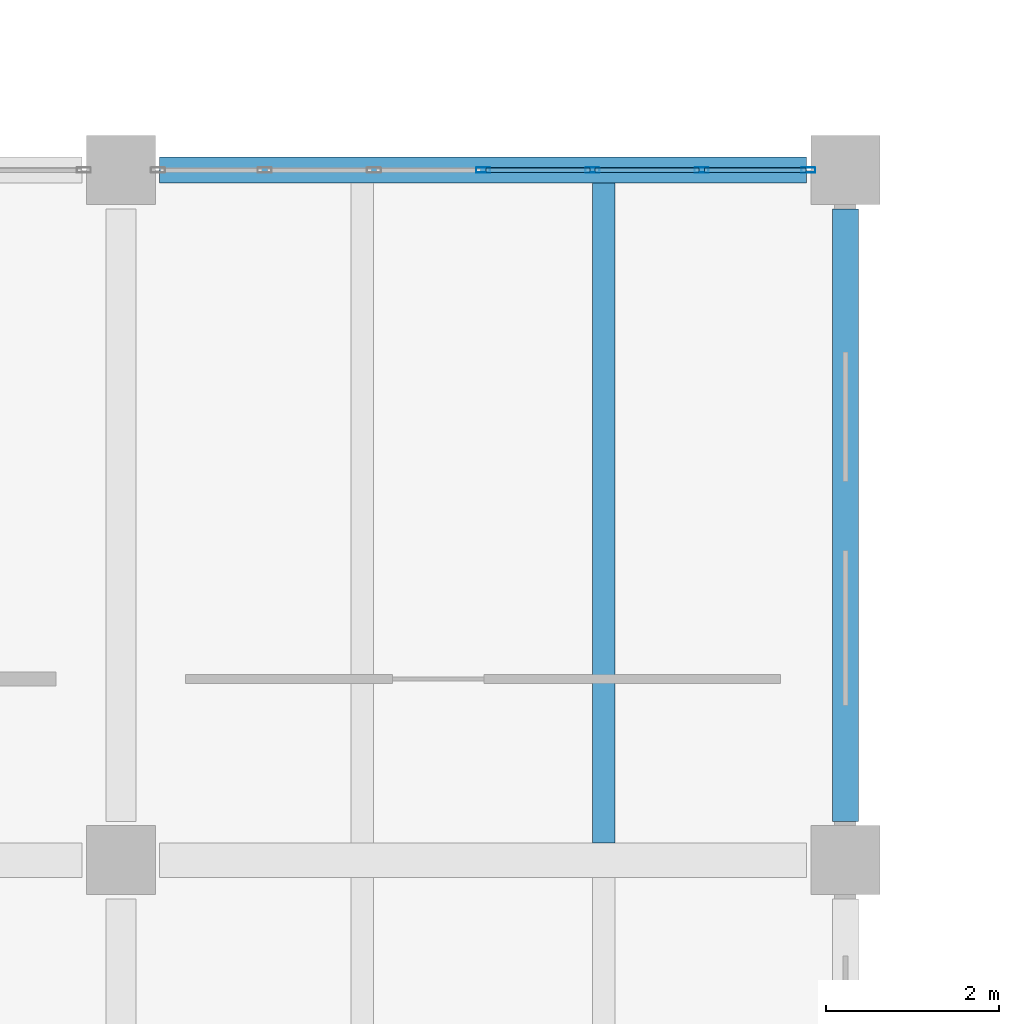
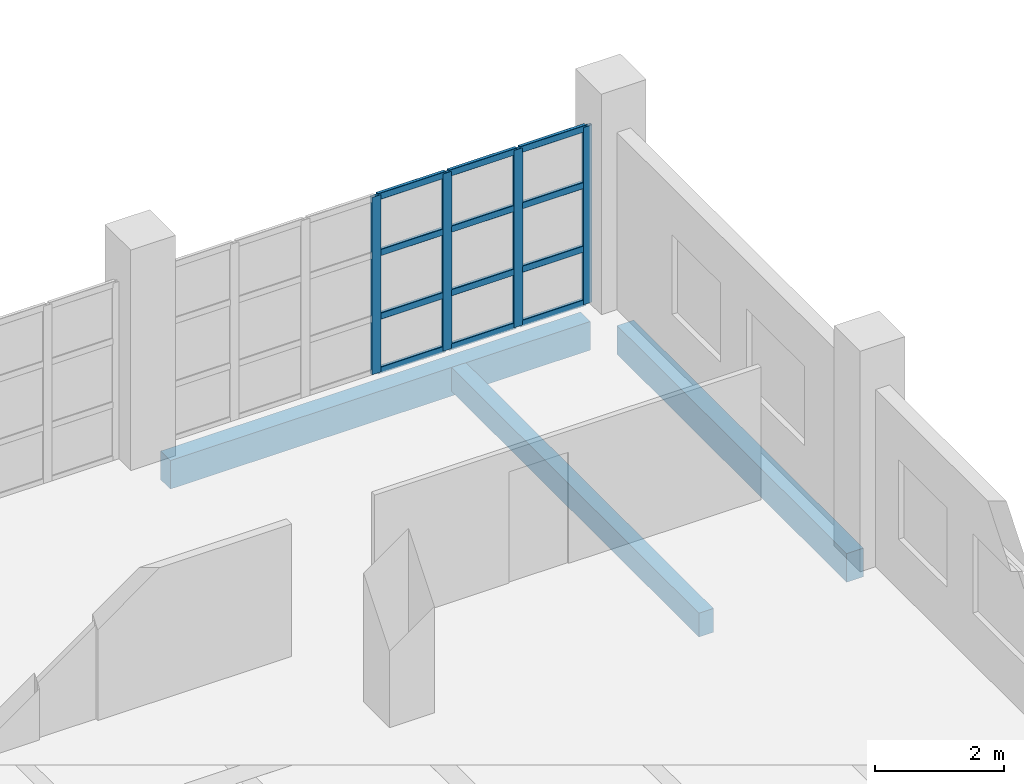
# One storey, part 48 of 177: 16 members, 3 beams, 1 element without a shape of its own.
"""IFC4 building model written with IfcOpenShell, lengths in metres."""

from ifc_helpers import new_model, si_unit, direction, frame, origin, origin_2d, place, context, subcontext, project, spatial, rectangle, hollow_rectangle, extrude, material, layer, layer_set, material_profile, profile_set, type_object, element, aggregate, save


model = new_model("IFC4")

# Units and contexts
model_context = context("Model", 3, precision=1e-05, world=origin(), true_north=direction((0.0, 1.0)))
body_context = subcontext(model_context, "Body", "Model", "MODEL_VIEW")
ifc_project = project(units=[si_unit("LENGTHUNIT", "METRE"), si_unit("AREAUNIT", "SQUARE_METRE"), si_unit("VOLUMEUNIT", "CUBIC_METRE"), si_unit("PLANEANGLEUNIT", "RADIAN"), si_unit("MASSUNIT", "GRAM", prefix="KILO"), si_unit("THERMODYNAMICTEMPERATUREUNIT", "KELVIN"), si_unit("POWERUNIT", "WATT")], contexts=[model_context])

# Site, building, storey
site_placement = place(None, origin())
site = spatial("IfcSite", under=ifc_project, at=site_placement, CompositionType="ELEMENT")
building_placement = place(site_placement, origin())
building = spatial("IfcBuilding", under=site, at=building_placement, Name="Mavoryth Pier Ferry Terminal", CompositionType="ELEMENT")
storey_placement = place(building_placement, frame((0.0, 0.0, 5.43994140625)))
storey = spatial("IfcBuildingStorey", under=building, at=storey_placement, Name="L01", CompositionType="ELEMENT", Elevation=5.43994140625)

# Beam
ifc_material_1 = material(Name="Concrete C35/45", Category="concrete")
ifc_material_profile_1 = material_profile(ifc_material_1, rectangle(XDim=0.260009765625, YDim=0.449951171875, at=origin_2d()), Name="RC 260x450", Category="concrete")
ifc_profile_set_1 = profile_set([ifc_material_profile_1], Name="Concrete C35/45 - RC 260x450")
beam_type_1 = type_object("IfcBeamType", Name="Joist-RC-260x450", PredefinedType="JOIST", material=ifc_profile_set_1)
beam_1_placement = place(storey_placement, frame((89.60009765625, 14.199951171875, -0.48486328125), z_axis=(0.0, 1.0, 0.0), x_axis=(-1.0, 0.0, 0.0)))
element("IfcBeam", 1, at=beam_1_placement, inside=storey, type_object=beam_type_1, Name="Beam B01-BJ03-0586", PredefinedType="JOIST", context=body_context, shape_type="SweptSolid", body=[
    extrude(rectangle(XDim=0.260009765625, YDim=0.449951171875, at=origin_2d()), origin(), (0.0, 0.0, 1.0), 7.650146484375),
])

# Curtain wall, members
ifc_material_2 = material(Name="Anodised Aluminium and Solar-Control Low-E Glass", Category="aluminium")
ifc_layer = layer(ifc_material_2, 0.239990234375, Name="Anodised Aluminium and Solar-Control Low-E Glass", Category="aluminium")
ifc_layer_set = layer_set([ifc_layer], Name="Anodised Aluminium and Solar-Control Low-E Glass - CW-Operations-Mod1200")
curtain_wall_type = type_object("IfcCurtainWallType", Name="CW-Operations-Mod1200", PredefinedType="USERDEFINED", material=ifc_layer_set)
curtain_wall_placement = place(storey_placement, origin())
curtain_wall = element("IfcCurtainWall", 2, at=curtain_wall_placement, inside=storey, type_object=curtain_wall_type, Name="Curtain Wall CW-0122-119", ObjectType="UNITISED CURTAIN WALL", PredefinedType="USERDEFINED")
ifc_material_3 = material(Name="Anodised Aluminium EN AW-6063", Category="aluminium")
ifc_material_profile_2 = material_profile(ifc_material_3, hollow_rectangle(XDim=0.06005859375, YDim=0.1650390625, WallThickness=0.00390625, InnerFilletRadius=0.00390625, OuterFilletRadius=0.008056640625, at=origin_2d()), Name="AL-MULL 165x60x4", Category="aluminium")
ifc_profile_set_2 = profile_set([ifc_material_profile_2], Name="Anodised Aluminium EN AW-6063 - AL-MULL 165x60x4")
member_type_1 = type_object("IfcMemberType", Name="Mullion-Alum-165x60", PredefinedType="MULLION", material=ifc_profile_set_2)
member_1_placement = place(storey_placement, frame((91.969970703125, 22.0, 0.0), z_axis=(0.0, 0.0, 1.0), x_axis=(0.0, -1.0, 0.0)))
member_1 = element("IfcMember", 3, at=member_1_placement, type_object=member_type_1, Name="CW06 mullion 1", PredefinedType="MULLION", context=body_context, shape_type="SweptSolid", body=[
    extrude(hollow_rectangle(XDim=0.06005859375, YDim=0.1650390625, WallThickness=0.00390625, InnerFilletRadius=0.00390625, OuterFilletRadius=0.008056640625, at=origin_2d()), origin(), (0.0, 0.0, 1.0), 3.344970703125),
])
member_2_placement = place(storey_placement, frame((90.7333984375, 22.0, 0.0), z_axis=(0.0, 0.0, 1.0), x_axis=(0.0, -1.0, 0.0)))
member_2 = element("IfcMember", 4, at=member_2_placement, type_object=member_type_1, Name="CW06 mullion 2", PredefinedType="MULLION", context=body_context, shape_type="SweptSolid", body=[
    extrude(hollow_rectangle(XDim=0.06005859375, YDim=0.1650390625, WallThickness=0.00390625, InnerFilletRadius=0.00390625, OuterFilletRadius=0.008056640625, at=origin_2d()), origin(), (0.0, 0.0, 1.0), 3.344970703125),
])
member_3_placement = place(storey_placement, frame((89.466552734375, 22.0, 0.0), z_axis=(0.0, 0.0, 1.0), x_axis=(0.0, -1.0, 0.0)))
member_3 = element("IfcMember", 5, at=member_3_placement, type_object=member_type_1, Name="CW06 mullion 3", PredefinedType="MULLION", context=body_context, shape_type="SweptSolid", body=[
    extrude(hollow_rectangle(XDim=0.06005859375, YDim=0.1650390625, WallThickness=0.00390625, InnerFilletRadius=0.00390625, OuterFilletRadius=0.008056640625, at=origin_2d()), origin(), (0.0, 0.0, 1.0), 3.344970703125),
])
member_4_placement = place(storey_placement, frame((88.199951171875, 22.0, 0.0), z_axis=(0.0, 0.0, 1.0), x_axis=(0.0, -1.0, 0.0)))
member_4 = element("IfcMember", 6, at=member_4_placement, type_object=member_type_1, Name="CW06 mullion 4", PredefinedType="MULLION", context=body_context, shape_type="SweptSolid", body=[
    extrude(hollow_rectangle(XDim=0.06005859375, YDim=0.1650390625, WallThickness=0.00390625, InnerFilletRadius=0.00390625, OuterFilletRadius=0.008056640625, at=origin_2d()), origin(), (0.0, 0.0, 1.0), 3.344970703125),
])

# Beams
ifc_material_profile_3 = material_profile(ifc_material_1, rectangle(XDim=0.300048828125, YDim=0.5400390625, at=origin_2d()), Name="RC 300x540", Category="concrete")
ifc_profile_set_3 = profile_set([ifc_material_profile_3], Name="Concrete C35/45 - RC 300x540")
beam_type_2 = type_object("IfcBeamType", Name="Spandrel-RC-300x540", PredefinedType="SPANDREL", material=ifc_profile_set_3)
beam_2_placement = place(storey_placement, frame((84.449951171875, 22.0, -0.530029296875), z_axis=(1.0, 0.0, 0.0), x_axis=(0.0, 1.0, 0.0)))
element("IfcBeam", 7, at=beam_2_placement, inside=storey, type_object=beam_type_2, Name="Beam B01-SP02-0533", PredefinedType="SPANDREL", context=body_context, shape_type="SweptSolid", body=[
    extrude(rectangle(XDim=0.300048828125, YDim=0.5400390625, at=origin_2d()), origin(), (0.0, 0.0, 1.0), 7.5),
])
beam_3_placement = place(storey_placement, frame((92.39990234375, 14.449951171875, -0.530029296875), z_axis=(0.0, 1.0, 0.0), x_axis=(-1.0, 0.0, 0.0)))
element("IfcBeam", 8, at=beam_3_placement, inside=storey, type_object=beam_type_2, Name="Beam B01-SP02-0554", PredefinedType="SPANDREL", context=body_context, shape_type="SweptSolid", body=[
    extrude(rectangle(XDim=0.300048828125, YDim=0.5400390625, at=origin_2d()), origin(), (0.0, 0.0, 1.0), 7.10009765625),
])

# Member
ifc_material_profile_4 = material_profile(ifc_material_3, hollow_rectangle(XDim=0.06005859375, YDim=0.125, WallThickness=0.00390625, InnerFilletRadius=0.00390625, OuterFilletRadius=0.008056640625, at=origin_2d()), Name="AL-TRAN 125x60x4", Category="aluminium")
ifc_profile_set_4 = profile_set([ifc_material_profile_4], Name="Anodised Aluminium EN AW-6063 - AL-TRAN 125x60x4")
member_type_2 = type_object("IfcMemberType", Name="Transom-Alum-125x60", PredefinedType="USERDEFINED", material=ifc_profile_set_4)
member_5_placement = place(storey_placement, frame((91.93994140625, 22.0, 0.030029296875), z_axis=(-1.0, 0.0, 0.0), x_axis=(0.0, -1.0, 0.0)))
member_5 = element("IfcMember", 9, at=member_5_placement, type_object=member_type_2, Name="CW06 transom 1.1", ObjectType="TRANSOM", PredefinedType="USERDEFINED", context=body_context, shape_type="SweptSolid", body=[
    extrude(hollow_rectangle(XDim=0.06005859375, YDim=0.125, WallThickness=0.00390625, InnerFilletRadius=0.00390625, OuterFilletRadius=0.008056640625, at=origin_2d()), origin(), (0.0, 0.0, 1.0), 1.176513671875),
])

member_6_placement = place(storey_placement, frame((91.93994140625, 22.0, 1.050048828125), z_axis=(-1.0, 0.0, 0.0), x_axis=(0.0, -1.0, 0.0)))
member_6 = element("IfcMember", 10, at=member_6_placement, type_object=member_type_2, Name="CW06 transom 1.2", ObjectType="TRANSOM", PredefinedType="USERDEFINED", context=body_context, shape_type="SweptSolid", body=[
    extrude(hollow_rectangle(XDim=0.06005859375, YDim=0.125, WallThickness=0.00390625, InnerFilletRadius=0.00390625, OuterFilletRadius=0.008056640625, at=origin_2d()), origin(), (0.0, 0.0, 1.0), 1.176513671875),
])

member_7_placement = place(storey_placement, frame((91.93994140625, 22.0, 2.25), z_axis=(-1.0, 0.0, 0.0), x_axis=(0.0, -1.0, 0.0)))
member_7 = element("IfcMember", 11, at=member_7_placement, type_object=member_type_2, Name="CW06 transom 1.3", ObjectType="TRANSOM", PredefinedType="USERDEFINED", context=body_context, shape_type="SweptSolid", body=[
    extrude(hollow_rectangle(XDim=0.06005859375, YDim=0.125, WallThickness=0.00390625, InnerFilletRadius=0.00390625, OuterFilletRadius=0.008056640625, at=origin_2d()), origin(), (0.0, 0.0, 1.0), 1.176513671875),
])

member_8_placement = place(storey_placement, frame((91.93994140625, 22.0, 3.31494140625), z_axis=(-1.0, 0.0, 0.0), x_axis=(0.0, -1.0, 0.0)))
member_8 = element("IfcMember", 12, at=member_8_placement, type_object=member_type_2, Name="CW06 transom 1.4", ObjectType="TRANSOM", PredefinedType="USERDEFINED", context=body_context, shape_type="SweptSolid", body=[
    extrude(hollow_rectangle(XDim=0.06005859375, YDim=0.125, WallThickness=0.00390625, InnerFilletRadius=0.00390625, OuterFilletRadius=0.008056640625, at=origin_2d()), origin(), (0.0, 0.0, 1.0), 1.176513671875),
])

member_9_placement = place(storey_placement, frame((90.703369140625, 22.0, 0.030029296875), z_axis=(-1.0, 0.0, 0.0), x_axis=(0.0, -1.0, 0.0)))
member_9 = element("IfcMember", 13, at=member_9_placement, type_object=member_type_2, Name="CW06 transom 2.1", ObjectType="TRANSOM", PredefinedType="USERDEFINED", context=body_context, shape_type="SweptSolid", body=[
    extrude(hollow_rectangle(XDim=0.06005859375, YDim=0.125, WallThickness=0.00390625, InnerFilletRadius=0.00390625, OuterFilletRadius=0.008056640625, at=origin_2d()), origin(), (0.0, 0.0, 1.0), 1.206787109375),
])

member_10_placement = place(storey_placement, frame((90.703369140625, 22.0, 1.050048828125), z_axis=(-1.0, 0.0, 0.0), x_axis=(0.0, -1.0, 0.0)))
member_10 = element("IfcMember", 14, at=member_10_placement, type_object=member_type_2, Name="CW06 transom 2.2", ObjectType="TRANSOM", PredefinedType="USERDEFINED", context=body_context, shape_type="SweptSolid", body=[
    extrude(hollow_rectangle(XDim=0.06005859375, YDim=0.125, WallThickness=0.00390625, InnerFilletRadius=0.00390625, OuterFilletRadius=0.008056640625, at=origin_2d()), origin(), (0.0, 0.0, 1.0), 1.206787109375),
])

member_11_placement = place(storey_placement, frame((90.703369140625, 22.0, 2.25), z_axis=(-1.0, 0.0, 0.0), x_axis=(0.0, -1.0, 0.0)))
member_11 = element("IfcMember", 15, at=member_11_placement, type_object=member_type_2, Name="CW06 transom 2.3", ObjectType="TRANSOM", PredefinedType="USERDEFINED", context=body_context, shape_type="SweptSolid", body=[
    extrude(hollow_rectangle(XDim=0.06005859375, YDim=0.125, WallThickness=0.00390625, InnerFilletRadius=0.00390625, OuterFilletRadius=0.008056640625, at=origin_2d()), origin(), (0.0, 0.0, 1.0), 1.206787109375),
])

member_12_placement = place(storey_placement, frame((90.703369140625, 22.0, 3.31494140625), z_axis=(-1.0, 0.0, 0.0), x_axis=(0.0, -1.0, 0.0)))
member_12 = element("IfcMember", 16, at=member_12_placement, type_object=member_type_2, Name="CW06 transom 2.4", ObjectType="TRANSOM", PredefinedType="USERDEFINED", context=body_context, shape_type="SweptSolid", body=[
    extrude(hollow_rectangle(XDim=0.06005859375, YDim=0.125, WallThickness=0.00390625, InnerFilletRadius=0.00390625, OuterFilletRadius=0.008056640625, at=origin_2d()), origin(), (0.0, 0.0, 1.0), 1.206787109375),
])

member_13_placement = place(storey_placement, frame((89.436767578125, 22.0, 0.030029296875), z_axis=(-1.0, 0.0, 0.0), x_axis=(0.0, -1.0, 0.0)))
member_13 = element("IfcMember", 17, at=member_13_placement, type_object=member_type_2, Name="CW06 transom 3.1", ObjectType="TRANSOM", PredefinedType="USERDEFINED", context=body_context, shape_type="SweptSolid", body=[
    extrude(hollow_rectangle(XDim=0.06005859375, YDim=0.125, WallThickness=0.00390625, InnerFilletRadius=0.00390625, OuterFilletRadius=0.008056640625, at=origin_2d()), origin(), (0.0, 0.0, 1.0), 1.206787109375),
])

member_14_placement = place(storey_placement, frame((89.436767578125, 22.0, 1.050048828125), z_axis=(-1.0, 0.0, 0.0), x_axis=(0.0, -1.0, 0.0)))
member_14 = element("IfcMember", 18, at=member_14_placement, type_object=member_type_2, Name="CW06 transom 3.2", ObjectType="TRANSOM", PredefinedType="USERDEFINED", context=body_context, shape_type="SweptSolid", body=[
    extrude(hollow_rectangle(XDim=0.06005859375, YDim=0.125, WallThickness=0.00390625, InnerFilletRadius=0.00390625, OuterFilletRadius=0.008056640625, at=origin_2d()), origin(), (0.0, 0.0, 1.0), 1.206787109375),
])

member_15_placement = place(storey_placement, frame((89.436767578125, 22.0, 2.25), z_axis=(-1.0, 0.0, 0.0), x_axis=(0.0, -1.0, 0.0)))
member_15 = element("IfcMember", 19, at=member_15_placement, type_object=member_type_2, Name="CW06 transom 3.3", ObjectType="TRANSOM", PredefinedType="USERDEFINED", context=body_context, shape_type="SweptSolid", body=[
    extrude(hollow_rectangle(XDim=0.06005859375, YDim=0.125, WallThickness=0.00390625, InnerFilletRadius=0.00390625, OuterFilletRadius=0.008056640625, at=origin_2d()), origin(), (0.0, 0.0, 1.0), 1.206787109375),
])

member_16_placement = place(storey_placement, frame((89.436767578125, 22.0, 3.31494140625), z_axis=(-1.0, 0.0, 0.0), x_axis=(0.0, -1.0, 0.0)))
member_16 = element("IfcMember", 20, at=member_16_placement, type_object=member_type_2, Name="CW06 transom 3.4", ObjectType="TRANSOM", PredefinedType="USERDEFINED", context=body_context, shape_type="SweptSolid", body=[
    extrude(hollow_rectangle(XDim=0.06005859375, YDim=0.125, WallThickness=0.00390625, InnerFilletRadius=0.00390625, OuterFilletRadius=0.008056640625, at=origin_2d()), origin(), (0.0, 0.0, 1.0), 1.206787109375),
])

aggregate(curtain_wall, [member_1, member_2, member_3, member_4, member_5, member_6, member_7, member_8, member_9, member_10, member_11, member_12, member_13, member_14, member_15, member_16])

save(model, "model.ifc")
